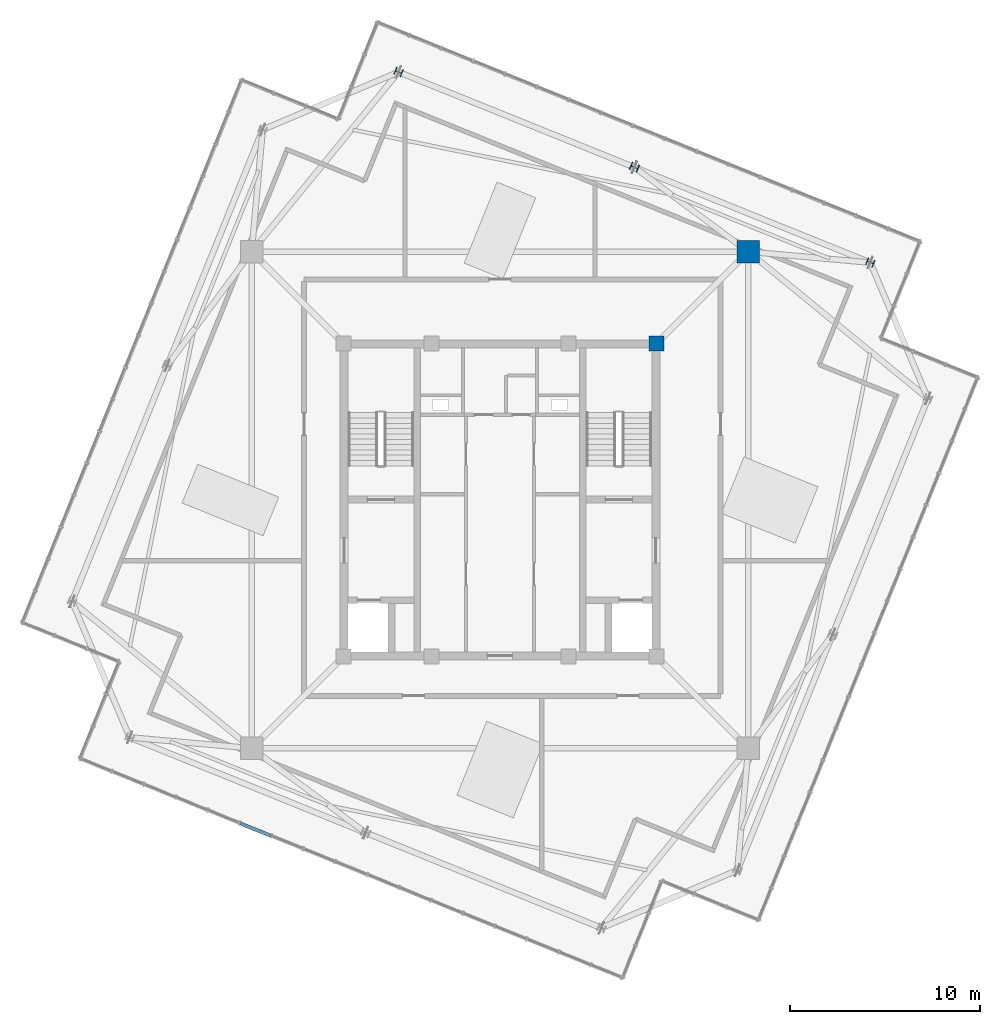
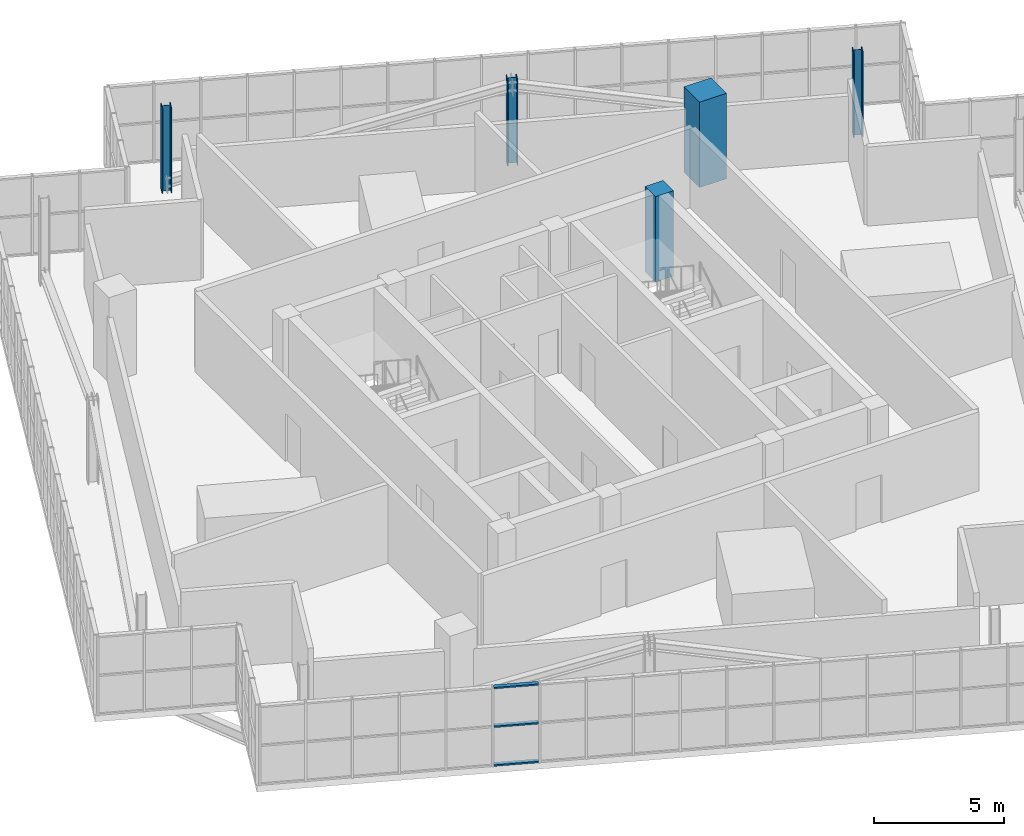
# One storey, part 2 of 26: 5 columns, 3 members, 1 element without a shape of its own.
"""IFC4 building model written with IfcOpenShell, lengths in metres."""

from ifc_helpers import new_model, si_unit, direction, frame, origin, origin_2d, place, context, subcontext, project, spatial, rectangle, hollow_rectangle, i_section, extrude, source, transform, mapped, material, layer, layer_set, material_profile, profile_set, type_object, element, aggregate, save


model = new_model("IFC4")

# Units and contexts
model_context = context("Model", 3, precision=1e-05, world=origin(), true_north=direction((0.0, 1.0)))
body_context = subcontext(model_context, "Body", "Model", "MODEL_VIEW")
ifc_project = project(units=[si_unit("LENGTHUNIT", "METRE"), si_unit("AREAUNIT", "SQUARE_METRE"), si_unit("VOLUMEUNIT", "CUBIC_METRE"), si_unit("PLANEANGLEUNIT", "RADIAN"), si_unit("MASSUNIT", "GRAM", prefix="KILO"), si_unit("THERMODYNAMICTEMPERATUREUNIT", "KELVIN")], contexts=[model_context])

# Site, building, storey
site_placement = place(None, origin())
site = spatial("IfcSite", under=ifc_project, at=site_placement, CompositionType="ELEMENT")
building_placement = place(site_placement, origin())
building = spatial("IfcBuilding", under=site, at=building_placement, Name="Kosmvard Interchange Tower", CompositionType="ELEMENT")
storey_placement = place(building_placement, frame((0.0, 0.0, 329.60009765625)))
storey = spatial("IfcBuildingStorey", under=building, at=storey_placement, Name="L81", CompositionType="ELEMENT", Elevation=329.60009765625)

# Columns
ifc_material_1 = material(Name="Concrete C50/60", Category="concrete")
ifc_material_profile_1 = material_profile(ifc_material_1, rectangle(XDim=0.800048828125, YDim=0.800048828125, at=origin_2d()), Name="CP 800x800")
ifc_profile_set_1 = profile_set([ifc_material_profile_1], Name="Concrete C50/60")
column_type_1 = type_object("IfcColumnType", Name="Core Boundary Pilaster 800x800 C50/60", PredefinedType="PILASTER", material=ifc_profile_set_1)
shared_shape_1 = source(origin(), body_context, "Body", "SweptSolid", [
    extrude(rectangle(XDim=0.800048828125, YDim=0.800048828125, at=origin_2d()), origin(), (0.0, 0.0, 1.0), 4.0),
])
column_1_placement = place(storey_placement, frame((8.25, 8.25, 0.0), z_axis=(0.0, 0.0, 1.0), x_axis=(1.0, 0.0, 0.0)))
element("IfcColumn", 1, at=column_1_placement, inside=storey, type_object=column_type_1, Name="L81 Core Pilaster CP3", PredefinedType="PILASTER", context=body_context, shape_type="MappedRepresentation", body=[
    mapped(shared_shape_1, transform((0.0, 0.0, 0.0), scale=1.0)),
])
ifc_material_profile_2 = material_profile(ifc_material_1, rectangle(XDim=1.199951171875, YDim=1.199951171875, at=origin_2d()), Name="MC 1200x1200")
ifc_profile_set_2 = profile_set([ifc_material_profile_2], Name="Concrete C50/60")
column_type_2 = type_object("IfcColumnType", Name="Composite Mega-Column 1200x1200 C50/60", PredefinedType="COLUMN", material=ifc_profile_set_2)
shared_shape_2 = source(origin(), body_context, "Body", "SweptSolid", [
    extrude(rectangle(XDim=1.199951171875, YDim=1.199951171875, at=origin_2d()), origin(), (0.0, 0.0, 1.0), 4.0),
])
column_2_placement = place(storey_placement, frame((13.0810546875, 13.0810546875, 0.0), z_axis=(0.0, 0.0, 1.0), x_axis=(1.0, 0.0, 0.0)))
element("IfcColumn", 2, at=column_2_placement, inside=storey, type_object=column_type_2, Name="L81 Corner Mega-Column MC3", PredefinedType="COLUMN", context=body_context, shape_type="MappedRepresentation", body=[
    mapped(shared_shape_2, transform((0.0, 0.0, 0.0), scale=1.0)),
])
ifc_material_2 = material(Name="Steel S355", Category="steel")
ifc_material_profile_3 = material_profile(ifc_material_2, i_section(OverallWidth=0.3759765625, OverallDepth=0.386962890625, WebThickness=0.01953125, FlangeThickness=0.031982421875, FilletRadius=0.014892578125, at=origin_2d()), Name="HD 360x329")
ifc_profile_set_3 = profile_set([ifc_material_profile_3], Name="Steel S355")
column_type_3 = type_object("IfcColumnType", Name="Crown Lantern Corner Post HD 360x329 S355", PredefinedType="COLUMN", material=ifc_profile_set_3)
shared_shape_3 = source(origin(), body_context, "Body", "SweptSolid", [
    extrude(i_section(OverallWidth=0.3759765625, OverallDepth=0.386962890625, WebThickness=0.01953125, FlangeThickness=0.031982421875, FilletRadius=0.014892578125, at=origin_2d()), origin(), (0.0, 0.0, 1.0), 4.0),
])
for number, where, z_axis, x_axis, name in (
    (3, (19.50439453125, 12.504150390625, 0.0), (0.0, 0.0, 1.0), (0.374606593416, 0.927183854567, 0.0), "L81 Crown Frame Leg LL-E1"),
    (4, (-5.34423828125, 22.54345703125, 0.0), (0.0, 0.0, 1.0), (0.374606593416, 0.927183854567, 0.0), "L81 Crown Frame Leg LL-E3"),
):
    element("IfcColumn", number, at=place(storey_placement, frame(where, z_axis=z_axis, x_axis=x_axis)), inside=storey, type_object=column_type_3, Name=name, PredefinedType="COLUMN", context=body_context, shape_type="MappedRepresentation", body=[
        mapped(shared_shape_3, transform((0.0, 0.0, 0.0), scale=1.0)),
    ])
ifc_material_profile_4 = material_profile(ifc_material_2, i_section(OverallWidth=0.408935546875, OverallDepth=0.425048828125, WebThickness=0.02392578125, FlangeThickness=0.0390625, FilletRadius=0.014892578125, at=origin_2d()), Name="HD 400x421")
ifc_profile_set_4 = profile_set([ifc_material_profile_4], Name="Steel S355")
column_type_4 = type_object("IfcColumnType", Name="Crown Lantern Frame Leg HD 400x421 S355", PredefinedType="COLUMN", material=ifc_profile_set_4)
shared_shape_4 = source(origin(), body_context, "Body", "SweptSolid", [
    extrude(i_section(OverallWidth=0.408935546875, OverallDepth=0.425048828125, WebThickness=0.02392578125, FlangeThickness=0.0390625, FilletRadius=0.014892578125, at=origin_2d()), origin(), (0.0, 0.0, 1.0), 4.0),
])
column_3_placement = place(storey_placement, frame((7.080078125, 17.523681640625, 0.0), z_axis=(0.0, 0.0, 1.0), x_axis=(0.374606593416, 0.927183854567, 0.0)))
element("IfcColumn", 5, at=column_3_placement, inside=storey, type_object=column_type_4, Name="L81 Crown Frame Leg LL-E2", PredefinedType="COLUMN", context=body_context, shape_type="MappedRepresentation", body=[
    mapped(shared_shape_4, transform((0.0, 0.0, 0.0), scale=1.0)),
])

# Curtain wall, members
ifc_material_3 = material(Name="Architectural anodised aluminium", Category="aluminium")
ifc_layer = layer(ifc_material_3, 0.25, Name="Architectural anodised aluminium")
ifc_layer_set = layer_set([ifc_layer], Name="Architectural anodised aluminium")
curtain_wall_type = type_object("IfcCurtainWallType", Name="CW-6 Illuminated Crown Lantern Curtain Wall", PredefinedType="NOTDEFINED", material=ifc_layer_set)
curtain_wall_placement = place(storey_placement, origin())
curtain_wall = element("IfcCurtainWall", 6, at=curtain_wall_placement, inside=storey, type_object=curtain_wall_type, Name="L81 Crown Lantern Glazing Face 10", PredefinedType="NOTDEFINED")
ifc_material_profile_5 = material_profile(ifc_material_3, hollow_rectangle(XDim=0.179931640625, YDim=0.070068359375, WallThickness=0.0048828125, at=origin_2d()), Name="CWT 180x70x5")
ifc_profile_set_5 = profile_set([ifc_material_profile_5], Name="Architectural anodised aluminium")
member_type = type_object("IfcMemberType", Name="Heavy Lantern CW Transom 180x70 Aluminium", PredefinedType="USERDEFINED", material=ifc_profile_set_5)
shared_shape_5 = source(origin(), body_context, "Body", "SweptSolid", [
    extrude(hollow_rectangle(XDim=0.179931640625, YDim=0.070068359375, WallThickness=0.0048828125, at=origin_2d()), origin(), (0.0, 0.0, 1.0), 1.734130859375),
])
member_1_placement = place(storey_placement, frame((-13.686767578125, -17.033203125, 0.034912109375), z_axis=(0.927179782522, -0.374616671924, 0.0), x_axis=(0.374616671924, 0.927179782522, 0.0)))
member_1 = element("IfcMember", 7, at=member_1_placement, type_object=member_type, Name="CW-6 transom 6.1", ObjectType="TRANSOM", PredefinedType="USERDEFINED", context=body_context, shape_type="MappedRepresentation", body=[
    mapped(shared_shape_5, transform((0.0, 0.0, 0.0), scale=1.0)),
])
member_2_placement = place(storey_placement, frame((-13.686767578125, -17.033203125, 1.849853515625), z_axis=(0.927179782522, -0.374616671924, 0.0), x_axis=(0.374616671924, 0.927179782522, 0.0)))
member_2 = element("IfcMember", 8, at=member_2_placement, type_object=member_type, Name="CW-6 transom 6.2", ObjectType="TRANSOM", PredefinedType="USERDEFINED", context=body_context, shape_type="MappedRepresentation", body=[
    mapped(shared_shape_5, transform((0.0, 0.0, 0.0), scale=1.0)),
])
member_3_placement = place(storey_placement, frame((-13.686767578125, -17.033203125, 3.664794921875), z_axis=(0.927179782522, -0.374616671924, 0.0), x_axis=(0.374616671924, 0.927179782522, 0.0)))
member_3 = element("IfcMember", 9, at=member_3_placement, type_object=member_type, Name="CW-6 transom 6.3", ObjectType="TRANSOM", PredefinedType="USERDEFINED", context=body_context, shape_type="MappedRepresentation", body=[
    mapped(shared_shape_5, transform((0.0, 0.0, 0.0), scale=1.0)),
])
aggregate(curtain_wall, [member_1, member_2, member_3])

save(model, "model.ifc")
